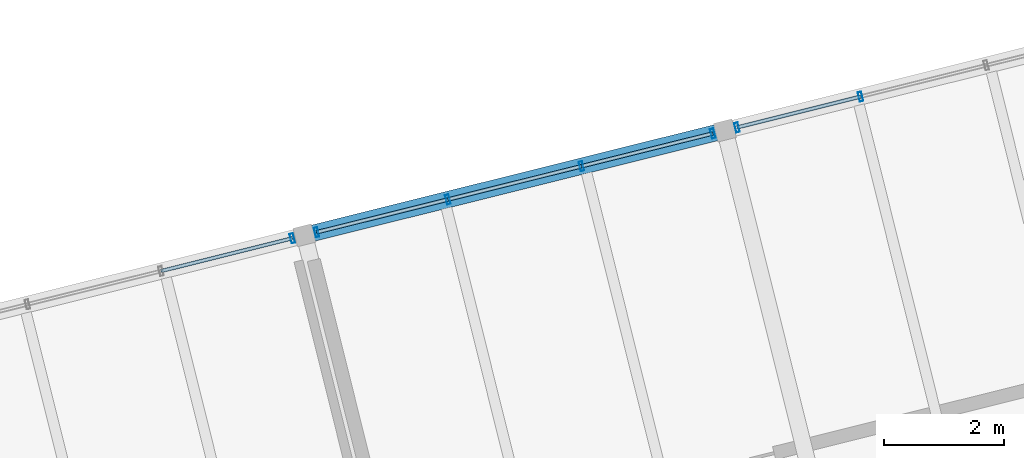
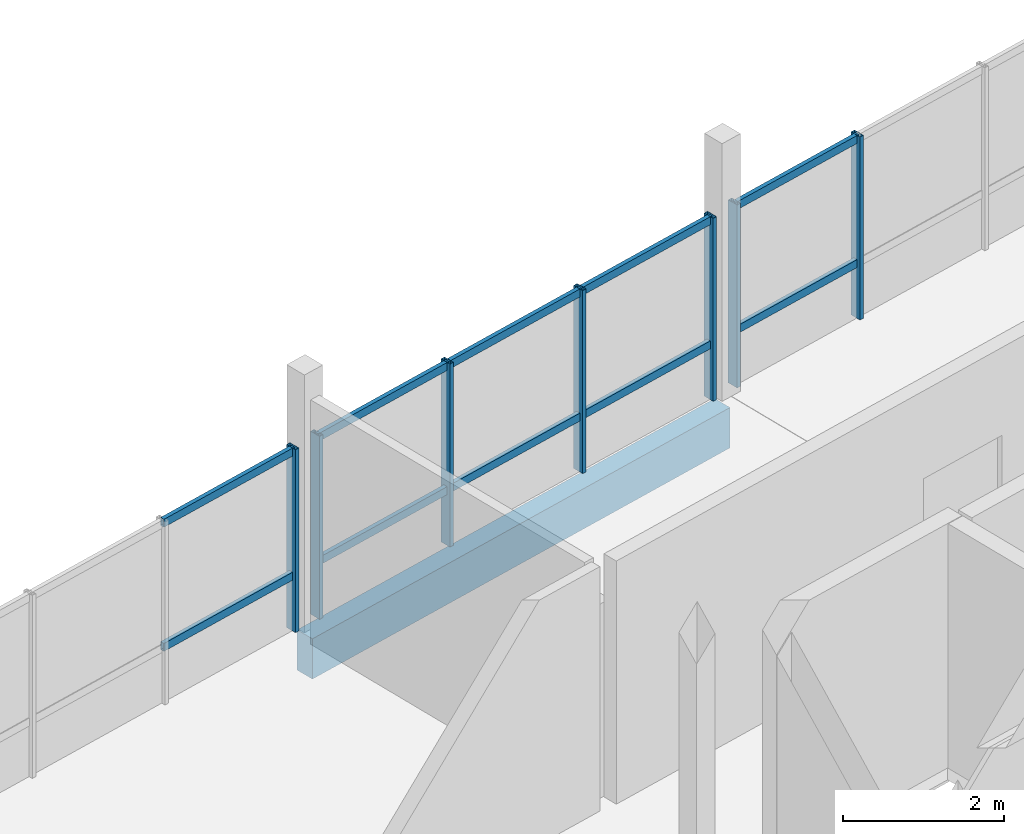
# One storey, part 19 of 25: 17 members, 1 beam, 3 elements without a shape of their own.
"""IFC4 building model written with IfcOpenShell, lengths in metres."""

import ifcopenshell
import ifcopenshell.guid

model = None  # the IFC model being written
_history = None  # IfcOwnerHistory: only IFC2X3 demands one
_inside = {}  # id of a spatial element -> (the spatial element, [elements in it])
_under = {}  # id of a project, library or spatial element -> (it, [spatial elements below it])
_declared = {}  # id of a project -> (the project, [libraries it declares])
_typed = {}  # id of a type object -> (the type object, [elements of that type])
_made_of = {}  # id of a material, layer set ... -> (it, [elements and type objects made of it])


def new_model(schema):
    """Start an empty IFC model of exactly this schema.

    Asked for "IFC4X3", IfcOpenShell would pick the latest addendum, in which some entities
    have other attributes; the version numbers below select the first issue.
    IFC2X3 requires an IfcOwnerHistory on every rooted entity: one is made here for all.
    """
    global model, _history
    if schema == "IFC4X3":
        model = ifcopenshell.file(schema_version=(4, 3, 0, 0))
    else:
        model = ifcopenshell.file(schema=schema)
    _inside.clear()
    _under.clear()
    _declared.clear()
    _typed.clear()
    _made_of.clear()
    _history = None
    if model.schema == "IFC2X3":
        org = make("IfcOrganization", Name="unknown")
        user = make(
            "IfcPersonAndOrganization",
            ThePerson=make("IfcPerson", FamilyName="unknown"),
            TheOrganization=org,
        )
        app = make(
            "IfcApplication",
            ApplicationDeveloper=org,
            Version="unknown",
            ApplicationFullName="unknown",
            ApplicationIdentifier="unknown",
        )
        _history = make(
            "IfcOwnerHistory",
            OwningUser=user,
            OwningApplication=app,
            ChangeAction="ADDED",
            CreationDate=0,
        )
    return model


def make(cls, **values):
    """One entity of the class cls with the attributes given. An attribute that is None is left unset."""
    return model.create_entity(
        cls, **{name: value for name, value in values.items() if value is not None}
    )


def rooted(cls, **values):
    """An entity with a GlobalId (a new one), such as an element, a storey or a relation."""
    return make(cls, GlobalId=ifcopenshell.guid.new(), OwnerHistory=_history, **values)


def si_unit(unit_type, name, prefix=None):
    """IfcSIUnit, for example si_unit("LENGTHUNIT", "METRE", prefix="MILLI")."""
    return make("IfcSIUnit", UnitType=unit_type, Prefix=prefix, Name=name)


def assignment(units):
    """IfcUnitAssignment: the units of a project."""
    return None if units is None else make("IfcUnitAssignment", Units=units)


def point(xyz):
    """IfcCartesianPoint."""
    return None if xyz is None else make("IfcCartesianPoint", Coordinates=xyz)


def direction(xyz):
    """IfcDirection."""
    return None if xyz is None else make("IfcDirection", DirectionRatios=xyz)


def frame(location, z_axis=None, x_axis=None):
    """IfcAxis2Placement3D, a coordinate frame: its origin and axes. An axis left out is left unset."""
    return make(
        "IfcAxis2Placement3D",
        Location=point(location),
        Axis=direction(z_axis),
        RefDirection=direction(x_axis),
    )


def frame_2d(location, x_axis=None):
    """IfcAxis2Placement2D, a coordinate frame in the plane: its origin and x axis."""
    return make(
        "IfcAxis2Placement2D", Location=point(location), RefDirection=direction(x_axis)
    )


def origin():
    """The frame at (0, 0, 0) with its axes left unset."""
    return frame((0.0, 0.0, 0.0))


def origin_2d():
    """The frame at (0, 0) in the plane with its x axis left unset."""
    return frame_2d((0.0, 0.0))


def place(relative_to, where):
    """IfcLocalPlacement: puts the frame where relative to a parent placement (None: the world)."""
    return make(
        "IfcLocalPlacement", PlacementRelTo=relative_to, RelativePlacement=where
    )


def context(
    kind, dimensions, precision=None, world=None, true_north=None, identifier=None
):
    """IfcGeometricRepresentationContext, for example the 3D "Model" context."""
    return make(
        "IfcGeometricRepresentationContext",
        ContextIdentifier=identifier,
        ContextType=kind,
        CoordinateSpaceDimension=dimensions,
        Precision=precision,
        WorldCoordinateSystem=world,
        TrueNorth=true_north,
    )


def subcontext(parent, identifier, kind, view, scale=None):
    """IfcGeometricRepresentationSubContext, for example "Body" below "Model"."""
    return make(
        "IfcGeometricRepresentationSubContext",
        ContextIdentifier=identifier,
        ContextType=kind,
        ParentContext=parent,
        TargetScale=scale,
        TargetView=view,
    )


def project(units=None, contexts=None):
    """IfcProject with its units and contexts."""
    return rooted(
        "IfcProject",
        Name="project",
        RepresentationContexts=contexts,
        UnitsInContext=assignment(units),
    )


def spatial(cls, under=None, at=None, **own):
    """A site, building, storey or space (cls), placed at a placement, below another one or the project."""
    s = rooted(cls, ObjectPlacement=at, **own)
    if under is not None:
        _under.setdefault(under.id(), (under, []))[1].append(s)
    return s


def profile(cls, at=None, kind="AREA", **sizes):
    """A parametric profile (cls). Its sizes go by their IFC names, for example OverallWidth=200.0."""
    return make(cls, ProfileType=kind, Position=at, **sizes)


def rectangle(**sizes):
    """IfcRectangleProfileDef."""
    return profile("IfcRectangleProfileDef", **sizes)


def hollow_rectangle(**sizes):
    """IfcRectangleHollowProfileDef."""
    return profile("IfcRectangleHollowProfileDef", **sizes)


def extrude(swept, where, along, depth):
    """IfcExtrudedAreaSolid: the profile swept, set in the frame where, extruded along a direction by depth."""
    return make(
        "IfcExtrudedAreaSolid",
        SweptArea=swept,
        Position=where,
        ExtrudedDirection=direction(along),
        Depth=depth,
    )


def shape(context_of_items, identifier, shape_type, items):
    """IfcShapeRepresentation: the items that make up one representation, for example the "Body"."""
    return make(
        "IfcShapeRepresentation",
        ContextOfItems=context_of_items,
        RepresentationIdentifier=identifier,
        RepresentationType=shape_type,
        Items=items,
    )


def material(Name=None, Category=None):
    """IfcMaterial."""
    return make("IfcMaterial", Name=Name, Category=Category)


def layer(
    of_material, thickness, ventilated=None, Name=None, Category=None, Priority=None
):
    """IfcMaterialLayer: one layer of a wall or slab, of a material (None: an air gap)."""
    return make(
        "IfcMaterialLayer",
        Material=of_material,
        LayerThickness=thickness,
        IsVentilated=ventilated,
        Name=Name,
        Category=Category,
        Priority=Priority,
    )


def layer_set(layers, Name=None):
    """IfcMaterialLayerSet."""
    return make("IfcMaterialLayerSet", MaterialLayers=layers, LayerSetName=Name)


def material_profile(
    of_material, cross_section, Name=None, Category=None, Priority=None
):
    """IfcMaterialProfile: a cross section and its material."""
    return make(
        "IfcMaterialProfile",
        Name=Name,
        Material=of_material,
        Profile=cross_section,
        Priority=Priority,
        Category=Category,
    )


def profile_set(profiles, Name=None, composite=None):
    """IfcMaterialProfileSet."""
    return make(
        "IfcMaterialProfileSet",
        Name=Name,
        MaterialProfiles=profiles,
        CompositeProfile=composite,
    )


def made_of(thing, what):
    """Note that an element or type object is made of a material, layer set ...; save() writes the relation."""
    if what is not None:
        _made_of.setdefault(what.id(), (what, []))[1].append(thing)
    return thing


def type_object(cls, material=None, **own):
    """A type object (cls), such as IfcWallType, which elements share."""
    return made_of(rooted(cls, **own), material)


def element(
    cls,
    number,
    at=None,
    inside=None,
    cuts=None,
    type_object=None,
    material=None,
    context=None,
    identifier="Body",
    shape_type=None,
    held_by="IfcProductDefinitionShape",
    body=None,
    shapes=None,
    **own,
):
    """One element of the class cls, such as IfcWall. Its Tag is "e" and its number.

    at: its placement. inside: the storey or other place that contains it. cuts: it is an
    opening in that element (IfcRelVoidsElement). A single representation is given by context,
    identifier, shape_type and body (its items); several are given by shapes. held_by: the class
    of the entity that holds the representations. save() writes the other relations.
    """
    e = rooted(cls, Tag="e%d" % number, ObjectPlacement=at, **own)
    if body is not None:
        shapes = [shape(context, identifier, shape_type, body)]
    if shapes is not None:
        e.Representation = make(held_by, Representations=shapes)
    if inside is not None:
        _inside.setdefault(inside.id(), (inside, []))[1].append(e)
    if cuts is not None:
        rooted(
            "IfcRelVoidsElement", RelatingBuildingElement=cuts, RelatedOpeningElement=e
        )
    if type_object is not None:
        _typed.setdefault(type_object.id(), (type_object, []))[1].append(e)
    return made_of(e, material)


def aggregate(whole, parts):
    """IfcRelAggregates: a whole, such as a stair, and the parts it consists of."""
    return rooted("IfcRelAggregates", RelatingObject=whole, RelatedObjects=parts)


def save(model, path):
    """Write the relations noted so far, then the file.

    IfcRelAggregates (storeys below a building ...), IfcRelContainedInSpatialStructure (elements
    in a storey), IfcRelDefinesByType, IfcRelAssociatesMaterial and IfcRelDeclares: one each for
    every whole, place, type object, material and project.
    """
    for whole, parts in _under.values():
        aggregate(whole, parts)
    for where, things in _inside.values():
        rooted(
            "IfcRelContainedInSpatialStructure",
            RelatedElements=things,
            RelatingStructure=where,
        )
    for kind, things in _typed.values():
        rooted("IfcRelDefinesByType", RelatedObjects=things, RelatingType=kind)
    for what, things in _made_of.values():
        rooted("IfcRelAssociatesMaterial", RelatedObjects=things, RelatingMaterial=what)
    for by, libraries in _declared.values():
        rooted("IfcRelDeclares", RelatingContext=by, RelatedDefinitions=libraries)
    model.write(path)


model = new_model("IFC4")

# Units and contexts
model_context = context("Model", 3, precision=1e-05, world=origin(), true_north=direction((0.0, 1.0)))
body_context = subcontext(model_context, "Body", "Model", "MODEL_VIEW")
ifc_project = project(units=[si_unit("LENGTHUNIT", "METRE"), si_unit("AREAUNIT", "SQUARE_METRE"), si_unit("VOLUMEUNIT", "CUBIC_METRE"), si_unit("PLANEANGLEUNIT", "RADIAN"), si_unit("MASSUNIT", "GRAM", prefix="KILO")], contexts=[model_context])

# Site, building, storey
site_placement = place(None, origin())
site = spatial("IfcSite", under=ifc_project, at=site_placement, CompositionType="ELEMENT")
building_placement = place(site_placement, origin())
building = spatial("IfcBuilding", under=site, at=building_placement, Name="Meriwether Solvik Hall", CompositionType="ELEMENT")
storey_placement = place(building_placement, frame((0.0, 0.0, 53.39990234375)))
storey = spatial("IfcBuildingStorey", under=building, at=storey_placement, Name="L13", CompositionType="ELEMENT", Elevation=53.39990234375)

# Beam
ifc_material_1 = material(Name="Glulam Douglas-Fir 24F-V8 GL28h", Category="wood")
ifc_material_profile_1 = material_profile(ifc_material_1, rectangle(XDim=0.27294921875, YDim=0.610107421875, at=origin_2d()), Name="GLB-273X610")
ifc_profile_set_1 = profile_set([ifc_material_profile_1], Name="Glulam Douglas-Fir 24F-V8 GL28h")
beam_type = type_object("IfcBeamType", Name="BM-GL-273X610", PredefinedType="SPANDREL", material=ifc_profile_set_1)
beam_placement = place(storey_placement, frame((83.172607421875, 73.690673828125, -0.48486328125), z_axis=(0.970301855688, 0.241897310542, 0.0), x_axis=(-0.241897310542, 0.970301855688, 0.0)))
element("IfcBeam", 1, at=beam_placement, inside=storey, type_object=beam_type, Name="Tower Girder TE:T4-T5 (L13)", PredefinedType="SPANDREL", context=body_context, shape_type="SweptSolid", body=[
    extrude(rectangle(XDim=0.27294921875, YDim=0.610107421875, at=origin_2d()), origin(), (0.0, 0.0, 1.0), 7.2001953125),
])

# Curtain wall, member
ifc_material_2 = material(Name="Thermally Broken Anodised Aluminium 6063-T6 and Low-E Glass", Category="aluminium")
ifc_layer_1 = layer(ifc_material_2, 0.179931640625)
ifc_layer_set_1 = layer_set([ifc_layer_1], Name="Thermally Broken Anodised Aluminium 6063-T6 and Low-E Glass")
curtain_wall_type_1 = type_object("IfcCurtainWallType", Name="CW-UNIT-A", PredefinedType="USERDEFINED", material=ifc_layer_set_1)
curtain_wall_1_placement = place(storey_placement, origin())
curtain_wall_1 = element("IfcCurtainWall", 2, at=curtain_wall_1_placement, inside=storey, type_object=curtain_wall_type_1, Name="Curtain Wall E2_B2 (L13)", ObjectType="UNITISED CURTAIN WALL", PredefinedType="USERDEFINED")
ifc_material_3 = material(Name="Anodised Aluminium 6063-T6", Category="aluminium")
ifc_material_profile_2 = material_profile(ifc_material_3, hollow_rectangle(XDim=0.06005859375, YDim=0.159912109375, WallThickness=0.00390625, at=origin_2d()), Name="CWM-60X160")
ifc_profile_set_2 = profile_set([ifc_material_profile_2], Name="Anodised Aluminium 6063-T6")
member_type_1 = type_object("IfcMemberType", Name="CW-MUL-60X160", PredefinedType="MULLION", material=ifc_profile_set_2)
member_1_placement = place(storey_placement, frame((82.971435546875, 73.640380859375, 0.0), z_axis=(0.0, 0.0, 1.0), x_axis=(0.970295730764, 0.241921877598, 0.0)))
member_1 = element("IfcMember", 3, at=member_1_placement, type_object=member_type_1, Name="Curtain Wall Mullion 4", PredefinedType="MULLION", context=body_context, shape_type="SweptSolid", body=[
    extrude(hollow_rectangle(XDim=0.06005859375, YDim=0.159912109375, WallThickness=0.00390625, at=origin_2d()), origin(), (0.0, 0.0, 1.0), 2.77001953125),
])

# Curtain wall, members
ifc_material_4 = material(Name="Thermally Broken Anodised Aluminium 6063-T6 and Low-E Glass", Category="aluminium")
ifc_layer_2 = layer(ifc_material_4, 0.179931640625)
ifc_layer_set_2 = layer_set([ifc_layer_2], Name="Thermally Broken Anodised Aluminium 6063-T6 and Low-E Glass")
curtain_wall_type_2 = type_object("IfcCurtainWallType", Name="CW-UNIT-B", PredefinedType="USERDEFINED", material=ifc_layer_set_2)
curtain_wall_2_placement = place(storey_placement, origin())
curtain_wall_2 = element("IfcCurtainWall", 4, at=curtain_wall_2_placement, inside=storey, type_object=curtain_wall_type_2, Name="Curtain Wall E2_B3 (L13)", ObjectType="UNITISED CURTAIN WALL", PredefinedType="USERDEFINED")
member_2_placement = place(storey_placement, frame((83.3740234375, 73.74072265625, 0.0), z_axis=(0.0, 0.0, 1.0), x_axis=(0.970295730764, 0.241921877598, 0.0)))
member_2 = element("IfcMember", 5, at=member_2_placement, type_object=member_type_1, Name="Curtain Wall Mullion 1", PredefinedType="MULLION", context=body_context, shape_type="SweptSolid", body=[
    extrude(hollow_rectangle(XDim=0.06005859375, YDim=0.159912109375, WallThickness=0.00390625, at=origin_2d()), origin(), (0.0, 0.0, 1.0), 2.77001953125),
])
member_3_placement = place(storey_placement, frame((85.55615234375, 74.284912109375, 0.0), z_axis=(0.0, 0.0, 1.0), x_axis=(0.970295730764, 0.241921877598, 0.0)))
member_3 = element("IfcMember", 6, at=member_3_placement, type_object=member_type_1, Name="Curtain Wall Mullion 2", PredefinedType="MULLION", context=body_context, shape_type="SweptSolid", body=[
    extrude(hollow_rectangle(XDim=0.06005859375, YDim=0.159912109375, WallThickness=0.00390625, at=origin_2d()), origin(), (0.0, 0.0, 1.0), 2.77001953125),
])
member_4_placement = place(storey_placement, frame((87.775390625, 74.838134765625, 0.0), z_axis=(0.0, 0.0, 1.0), x_axis=(0.970295730764, 0.241921877598, 0.0)))
member_4 = element("IfcMember", 7, at=member_4_placement, type_object=member_type_1, Name="Curtain Wall Mullion 3", PredefinedType="MULLION", context=body_context, shape_type="SweptSolid", body=[
    extrude(hollow_rectangle(XDim=0.06005859375, YDim=0.159912109375, WallThickness=0.00390625, at=origin_2d()), origin(), (0.0, 0.0, 1.0), 2.77001953125),
])
member_5_placement = place(storey_placement, frame((89.95751953125, 75.382080078125, 0.0), z_axis=(0.0, 0.0, 1.0), x_axis=(0.970295730764, 0.241921877598, 0.0)))
member_5 = element("IfcMember", 8, at=member_5_placement, type_object=member_type_1, Name="Curtain Wall Mullion 4", PredefinedType="MULLION", context=body_context, shape_type="SweptSolid", body=[
    extrude(hollow_rectangle(XDim=0.06005859375, YDim=0.159912109375, WallThickness=0.00390625, at=origin_2d()), origin(), (0.0, 0.0, 1.0), 2.77001953125),
])

ifc_material_5 = material(Name="Thermally Broken Anodised Aluminium 6063-T6 and Low-E Glass", Category="aluminium")
ifc_layer_3 = layer(ifc_material_5, 0.179931640625)
ifc_layer_set_3 = layer_set([ifc_layer_3], Name="Thermally Broken Anodised Aluminium 6063-T6 and Low-E Glass")
curtain_wall_type_3 = type_object("IfcCurtainWallType", Name="CW-UNIT-C", PredefinedType="USERDEFINED", material=ifc_layer_set_3)
curtain_wall_3_placement = place(storey_placement, origin())
curtain_wall_3 = element("IfcCurtainWall", 9, at=curtain_wall_3_placement, inside=storey, type_object=curtain_wall_type_3, Name="Curtain Wall E2_B4 (L13)", ObjectType="UNITISED CURTAIN WALL", PredefinedType="USERDEFINED")
member_6_placement = place(storey_placement, frame((90.360107421875, 75.482666015625, 0.0), z_axis=(0.0, 0.0, 1.0), x_axis=(0.970295706127, 0.241921976413, 0.0)))
member_6 = element("IfcMember", 10, at=member_6_placement, type_object=member_type_1, Name="Curtain Wall Mullion 1", PredefinedType="MULLION", context=body_context, shape_type="SweptSolid", body=[
    extrude(hollow_rectangle(XDim=0.06005859375, YDim=0.159912109375, WallThickness=0.00390625, at=origin_2d()), origin(), (0.0, 0.0, 1.0), 2.77001953125),
])
member_7_placement = place(storey_placement, frame((92.4130859375, 75.994384765625, 0.0), z_axis=(0.0, 0.0, 1.0), x_axis=(0.970295706127, 0.241921976413, 0.0)))
member_7 = element("IfcMember", 11, at=member_7_placement, type_object=member_type_1, Name="Curtain Wall Mullion 2", PredefinedType="MULLION", context=body_context, shape_type="SweptSolid", body=[
    extrude(hollow_rectangle(XDim=0.06005859375, YDim=0.159912109375, WallThickness=0.00390625, at=origin_2d()), origin(), (0.0, 0.0, 1.0), 2.77001953125),
])

# Member
ifc_material_6 = material(Name="Anodised Aluminium 6063-T6", Category="aluminium")
ifc_material_profile_3 = material_profile(ifc_material_6, hollow_rectangle(XDim=0.06005859375, YDim=0.1201171875, WallThickness=0.00390625, at=origin_2d()), Name="CWT-60X120")
ifc_profile_set_3 = profile_set([ifc_material_profile_3], Name="Anodised Aluminium 6063-T6")
member_type_2 = type_object("IfcMemberType", Name="CW-TRN-60X120", PredefinedType="USERDEFINED", material=ifc_profile_set_3)
member_8_placement = place(storey_placement, frame((80.7890625, 73.09619140625, 0.8310546875), z_axis=(0.970289178123, 0.241948157292, 0.0), x_axis=(-0.241948157292, 0.970289178123, 0.0)))
member_8 = element("IfcMember", 12, at=member_8_placement, type_object=member_type_2, Name="Curtain Wall Transom 3-sill", ObjectType="TRANSOM", PredefinedType="USERDEFINED", context=body_context, shape_type="SweptSolid", body=[
    extrude(hollow_rectangle(XDim=0.06005859375, YDim=0.1201171875, WallThickness=0.00390625, at=origin_2d()), origin(), (0.0, 0.0, 1.0), 2.249267578125),
])

member_9_placement = place(storey_placement, frame((80.7890625, 73.09619140625, 2.710205078125), z_axis=(0.970289178123, 0.241948157292, 0.0), x_axis=(-0.241948157292, 0.970289178123, 0.0)))
member_9 = element("IfcMember", 13, at=member_9_placement, type_object=member_type_2, Name="Curtain Wall Transom 3-head", ObjectType="TRANSOM", PredefinedType="USERDEFINED", context=body_context, shape_type="SweptSolid", body=[
    extrude(hollow_rectangle(XDim=0.06005859375, YDim=0.1201171875, WallThickness=0.00390625, at=origin_2d()), origin(), (0.0, 0.0, 1.0), 2.249267578125),
])

aggregate(curtain_wall_1, [member_1, member_8, member_9])

member_10_placement = place(storey_placement, frame((83.3740234375, 73.74072265625, 0.8310546875), z_axis=(0.970282822978, 0.241973642025, 0.0), x_axis=(-0.241973642025, 0.970282822978, 0.0)))
member_10 = element("IfcMember", 14, at=member_10_placement, type_object=member_type_2, Name="Curtain Wall Transom 1-sill", ObjectType="TRANSOM", PredefinedType="USERDEFINED", context=body_context, shape_type="SweptSolid", body=[
    extrude(hollow_rectangle(XDim=0.06005859375, YDim=0.1201171875, WallThickness=0.00390625, at=origin_2d()), origin(), (0.0, 0.0, 1.0), 2.2490234375),
])

member_11_placement = place(storey_placement, frame((83.3740234375, 73.74072265625, 2.710205078125), z_axis=(0.970282822978, 0.241973642025, 0.0), x_axis=(-0.241973642025, 0.970282822978, 0.0)))
member_11 = element("IfcMember", 15, at=member_11_placement, type_object=member_type_2, Name="Curtain Wall Transom 1-head", ObjectType="TRANSOM", PredefinedType="USERDEFINED", context=body_context, shape_type="SweptSolid", body=[
    extrude(hollow_rectangle(XDim=0.06005859375, YDim=0.1201171875, WallThickness=0.00390625, at=origin_2d()), origin(), (0.0, 0.0, 1.0), 2.2490234375),
])

member_12_placement = place(storey_placement, frame((85.55615234375, 74.284912109375, 0.8310546875), z_axis=(0.970305536326, 0.241882546239, 0.0), x_axis=(-0.241882546239, 0.970305536326, 0.0)))
member_12 = element("IfcMember", 16, at=member_12_placement, type_object=member_type_2, Name="Curtain Wall Transom 2-sill", ObjectType="TRANSOM", PredefinedType="USERDEFINED", context=body_context, shape_type="SweptSolid", body=[
    extrude(hollow_rectangle(XDim=0.06005859375, YDim=0.1201171875, WallThickness=0.00390625, at=origin_2d()), origin(), (0.0, 0.0, 1.0), 2.287109375),
])

member_13_placement = place(storey_placement, frame((85.55615234375, 74.284912109375, 2.710205078125), z_axis=(0.970305536326, 0.241882546239, 0.0), x_axis=(-0.241882546239, 0.970305536326, 0.0)))
member_13 = element("IfcMember", 17, at=member_13_placement, type_object=member_type_2, Name="Curtain Wall Transom 2-head", ObjectType="TRANSOM", PredefinedType="USERDEFINED", context=body_context, shape_type="SweptSolid", body=[
    extrude(hollow_rectangle(XDim=0.06005859375, YDim=0.1201171875, WallThickness=0.00390625, at=origin_2d()), origin(), (0.0, 0.0, 1.0), 2.287109375),
])

member_14_placement = place(storey_placement, frame((87.775390625, 74.838134765625, 0.8310546875), z_axis=(0.970308305597, 0.241871437108, 0.0), x_axis=(-0.241871437108, 0.970308305597, 0.0)))
member_14 = element("IfcMember", 18, at=member_14_placement, type_object=member_type_2, Name="Curtain Wall Transom 3-sill", ObjectType="TRANSOM", PredefinedType="USERDEFINED", context=body_context, shape_type="SweptSolid", body=[
    extrude(hollow_rectangle(XDim=0.06005859375, YDim=0.1201171875, WallThickness=0.00390625, at=origin_2d()), origin(), (0.0, 0.0, 1.0), 2.2490234375),
])

member_15_placement = place(storey_placement, frame((87.775390625, 74.838134765625, 2.710205078125), z_axis=(0.970308305597, 0.241871437108, 0.0), x_axis=(-0.241871437108, 0.970308305597, 0.0)))
member_15 = element("IfcMember", 19, at=member_15_placement, type_object=member_type_2, Name="Curtain Wall Transom 3-head", ObjectType="TRANSOM", PredefinedType="USERDEFINED", context=body_context, shape_type="SweptSolid", body=[
    extrude(hollow_rectangle(XDim=0.06005859375, YDim=0.1201171875, WallThickness=0.00390625, at=origin_2d()), origin(), (0.0, 0.0, 1.0), 2.2490234375),
])

aggregate(curtain_wall_2, [member_2, member_3, member_4, member_5, member_10, member_11, member_12, member_13, member_14, member_15])

member_16_placement = place(storey_placement, frame((90.360107421875, 75.482666015625, 0.8310546875), z_axis=(0.970311953425, 0.241856802757, 0.0), x_axis=(-0.241856802757, 0.970311953425, 0.0)))
member_16 = element("IfcMember", 20, at=member_16_placement, type_object=member_type_2, Name="Curtain Wall Transom 1-sill", ObjectType="TRANSOM", PredefinedType="USERDEFINED", context=body_context, shape_type="SweptSolid", body=[
    extrude(hollow_rectangle(XDim=0.06005859375, YDim=0.1201171875, WallThickness=0.00390625, at=origin_2d()), origin(), (0.0, 0.0, 1.0), 2.11572265625),
])

member_17_placement = place(storey_placement, frame((90.360107421875, 75.482666015625, 2.710205078125), z_axis=(0.970311953425, 0.241856802757, 0.0), x_axis=(-0.241856802757, 0.970311953425, 0.0)))
member_17 = element("IfcMember", 21, at=member_17_placement, type_object=member_type_2, Name="Curtain Wall Transom 1-head", ObjectType="TRANSOM", PredefinedType="USERDEFINED", context=body_context, shape_type="SweptSolid", body=[
    extrude(hollow_rectangle(XDim=0.06005859375, YDim=0.1201171875, WallThickness=0.00390625, at=origin_2d()), origin(), (0.0, 0.0, 1.0), 2.11572265625),
])

aggregate(curtain_wall_3, [member_6, member_7, member_16, member_17])

save(model, "model.ifc")
